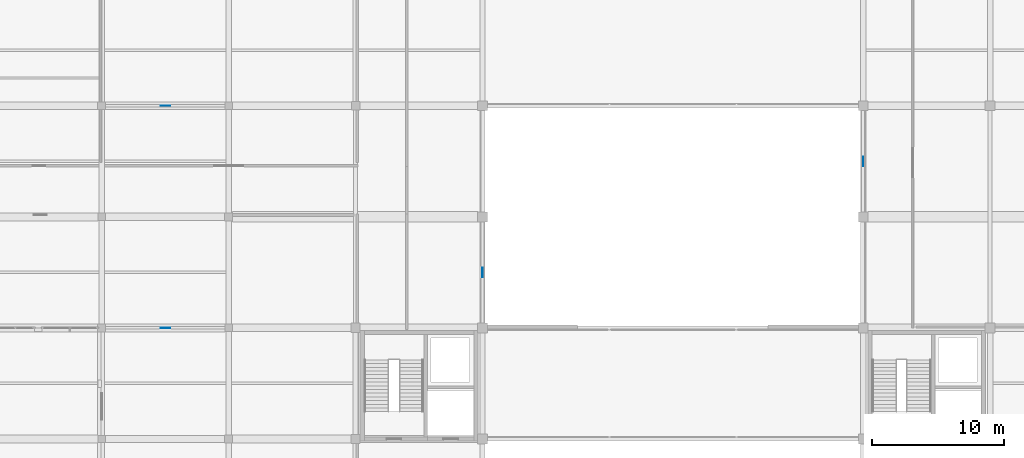
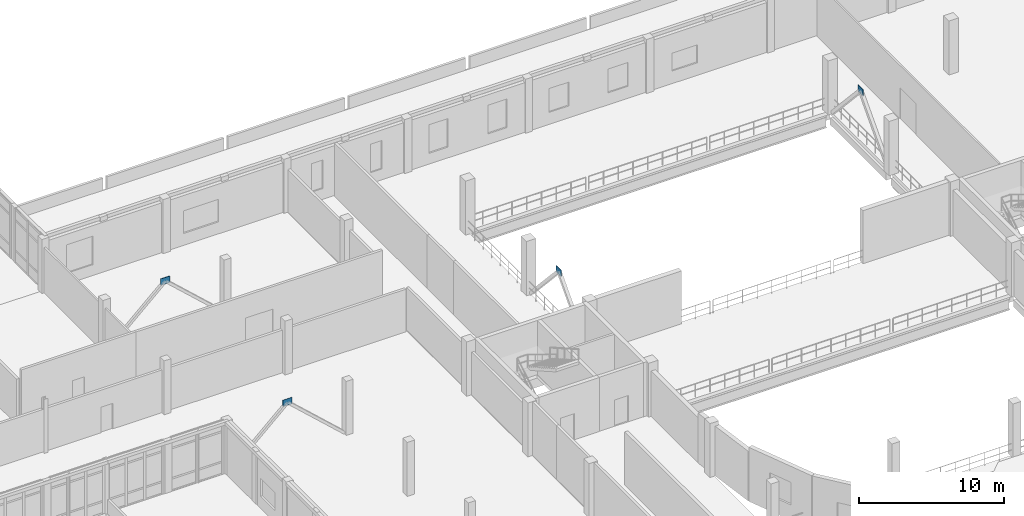
# One storey, part 71 of 88: 4 plates.
"""IFC4 building model written with IfcOpenShell, lengths in metres."""

from ifc_helpers import new_model, si_unit, direction, frame, origin, origin_2d, place, context, subcontext, project, spatial, rectangle, extrude, material, layer, layer_set, type_object, element, save


model = new_model("IFC4")

# Units and contexts
model_context = context("Model", 3, precision=1e-05, world=origin(), true_north=direction((0.0, 1.0)))
body_context = subcontext(model_context, "Body", "Model", "MODEL_VIEW")
ifc_project = project(units=[si_unit("LENGTHUNIT", "METRE"), si_unit("AREAUNIT", "SQUARE_METRE"), si_unit("VOLUMEUNIT", "CUBIC_METRE"), si_unit("PLANEANGLEUNIT", "RADIAN"), si_unit("MASSUNIT", "GRAM", prefix="KILO")], contexts=[model_context])

# Site, building, storey
site_placement = place(None, origin())
site = spatial("IfcSite", under=ifc_project, at=site_placement, CompositionType="ELEMENT")
building_placement = place(site_placement, origin())
building = spatial("IfcBuilding", under=site, at=building_placement, Name="Lornevale Opera House", CompositionType="ELEMENT")
storey_placement = place(building_placement, frame((0.0, 0.0, 10.199951171875)))
storey = spatial("IfcBuildingStorey", under=building, at=storey_placement, Name="L03", CompositionType="ELEMENT", Elevation=10.199951171875)

# Plates
ifc_material = material(Name="Structural Steel CSA G40.21 Grade 350W (350 MPa)", Category="steel")
ifc_layer = layer(ifc_material, 0.02392578125)
ifc_layer_set = layer_set([ifc_layer], Name="Structural Steel CSA G40.21 Grade 350W (350 MPa)")
plate_type = type_object("IfcPlateType", Name="Chevron Brace Gusset 720x550x24", PredefinedType="USERDEFINED", material=ifc_layer_set)
for number, where, z_axis, x_axis, name in (
    (1, (67.199951171875, 71.39990234375, 3.98486328125), (0.0, 0.0, 1.0), (0.0, 1.0, 0.0), "Chevron Brace Gusset PT-0055"),
    (2, (96.0, 79.800048828125, 3.98486328125), (0.0, 0.0, 1.0), (0.0, 1.0, 0.0), "Chevron Brace Gusset PT-0061"),
    (3, (43.21240234375, 67.199951171875, 3.955078125), (0.0, 0.0, 1.0), (1.0, 0.0, 0.0), "Chevron Brace Gusset PT-0068"),
    (4, (43.21240234375, 84.0, 3.955078125), (0.0, 0.0, 1.0), (1.0, 0.0, 0.0), "Chevron Brace Gusset PT-0072"),
):
    element("IfcPlate", number, at=place(storey_placement, frame(where, z_axis=z_axis, x_axis=x_axis)), inside=storey, type_object=plate_type, Name=name, ObjectType="GUSSET PLATE", PredefinedType="USERDEFINED", context=body_context, shape_type="SweptSolid", body=[
        extrude(rectangle(XDim=0.719970703125, YDim=0.02392578125, at=origin_2d()), origin(), (0.0, 0.0, 1.0), 0.550048828125),
    ])

save(model, "model.ifc")
